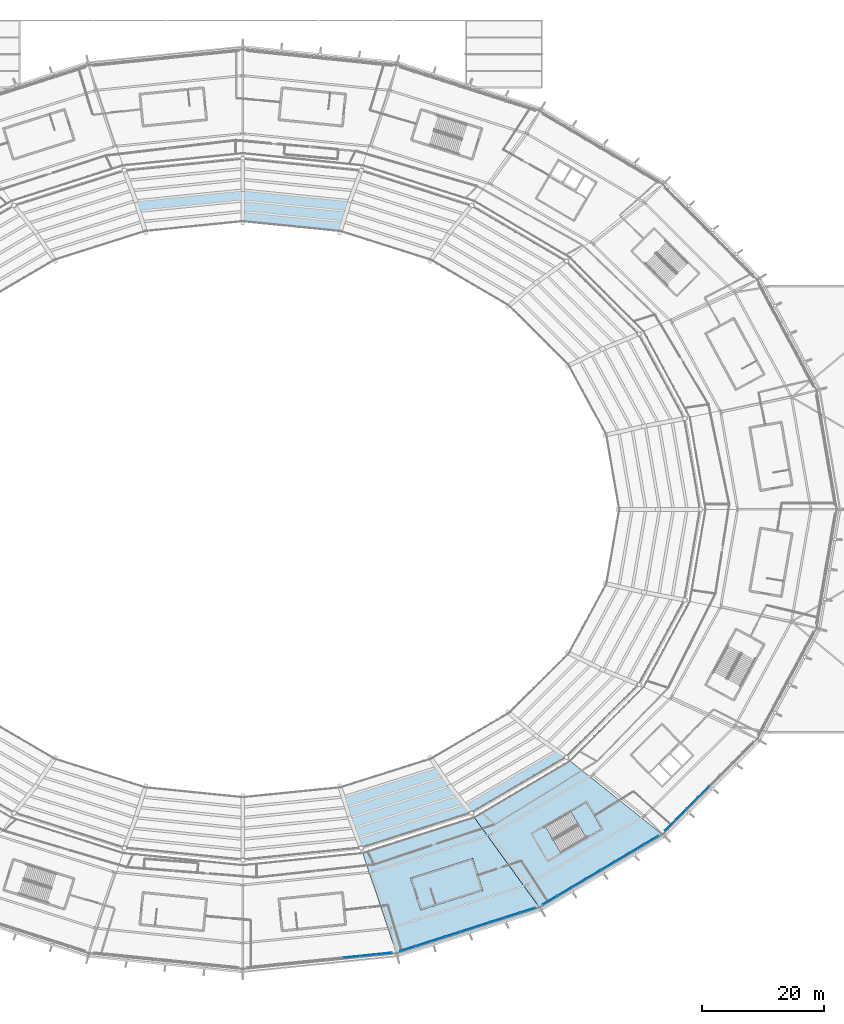
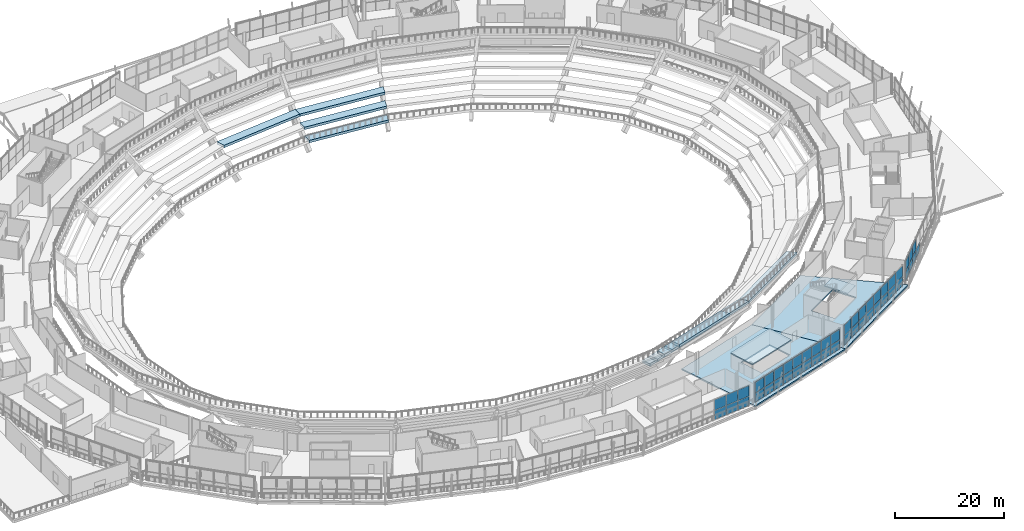
# One storey, part 66 of 126: 47 plates, 14 slabs, 5 elements without a shape of their own.
"""IFC4 building model written with IfcOpenShell, lengths in metres."""

from ifc_helpers import new_model, si_unit, direction, frame, origin, origin_2d, place, context, subcontext, project, spatial, polyline, rectangle, outline, extrude, material, layer, layer_set, type_object, element, aggregate, save


model = new_model("IFC4")

# Units and contexts
model_context = context("Model", 3, precision=1e-05, world=origin(), true_north=direction((0.0, 1.0)))
body_context = subcontext(model_context, "Body", "Model", "MODEL_VIEW")
ifc_project = project(units=[si_unit("LENGTHUNIT", "METRE"), si_unit("AREAUNIT", "SQUARE_METRE"), si_unit("VOLUMEUNIT", "CUBIC_METRE"), si_unit("PLANEANGLEUNIT", "RADIAN"), si_unit("MASSUNIT", "GRAM", prefix="KILO")], contexts=[model_context])

# Site, building, storey
site_placement = place(None, origin())
site = spatial("IfcSite", under=ifc_project, at=site_placement, CompositionType="ELEMENT")
building_placement = place(site_placement, origin())
building = spatial("IfcBuilding", under=site, at=building_placement, Name="Zlatoyarsky Gate Stadium", CompositionType="ELEMENT")
storey_placement = place(building_placement, frame((0.0, 0.0, 20.800048828125)))
storey = spatial("IfcBuildingStorey", under=building, at=storey_placement, Name="L04", CompositionType="ELEMENT", Elevation=20.800048828125)

# Curtain wall, plates
ifc_material_1 = material(Name="Thermally broken anodised aluminium curtain wall", Category="aluminium")
curtain_wall_type_1 = type_object("IfcCurtainWallType", Name="MONUMENTAL ARCHED GATE GLAZING LOWER", PredefinedType="USERDEFINED", material=ifc_material_1)
curtain_wall_1_placement = place(storey_placement, origin())
curtain_wall_1 = element("IfcCurtainWall", 1, at=curtain_wall_1_placement, inside=storey, type_object=curtain_wall_type_1, Name="Curtain wall CW-L04-18", ObjectType="ARCHED GATE GLAZING", PredefinedType="USERDEFINED")
ifc_material_2 = material(Name="Triple-glazed argon low-e architectural glass", Category="glass")
ifc_layer_1 = layer(ifc_material_2, 0.0458984375)
ifc_layer_set_1 = layer_set([ifc_layer_1], Name="Triple-glazed argon low-e architectural glass")
plate_type_1 = type_object("IfcPlateType", Name="ACOUSTIC LAMINATED GATE GLAZING PANEL 46", PredefinedType="CURTAIN_PANEL", material=ifc_layer_set_1)
plate_1_placement = place(storey_placement, frame((128.857421875, 6.74853515625, 0.074951171875), z_axis=(0.0, 0.0, 1.0), x_axis=(0.994856644007, 0.10129293102, 0.0)))
plate_1 = element("IfcPlate", 2, at=plate_1_placement, type_object=plate_type_1, Name="CW-AG1 panel 7.1", PredefinedType="CURTAIN_PANEL", context=body_context, shape_type="SweptSolid", body=[
    extrude(rectangle(XDim=2.58642578125, YDim=0.0458984375, at=origin_2d()), origin(), (0.0, 0.0, 1.0), 2.03759765625),
])
plate_2_placement = place(storey_placement, frame((128.857421875, 6.74853515625, 2.1875), z_axis=(0.0, 0.0, 1.0), x_axis=(0.994856644007, 0.10129293102, 0.0)))
plate_2 = element("IfcPlate", 3, at=plate_2_placement, type_object=plate_type_1, Name="CW-AG1 panel 7.2", PredefinedType="CURTAIN_PANEL", context=body_context, shape_type="SweptSolid", body=[
    extrude(rectangle(XDim=2.58642578125, YDim=0.0458984375, at=origin_2d()), origin(), (0.0, 0.0, 1.0), 2.357421875),
])
plate_3_placement = place(storey_placement, frame((131.505126953125, 7.01806640625, 0.074951171875), z_axis=(0.0, 0.0, 1.0), x_axis=(0.994856644007, 0.10129293102, 0.0)))
plate_3 = element("IfcPlate", 4, at=plate_3_placement, type_object=plate_type_1, Name="CW-AG1 panel 8.1", PredefinedType="CURTAIN_PANEL", context=body_context, shape_type="SweptSolid", body=[
    extrude(rectangle(XDim=2.58642578125, YDim=0.0458984375, at=origin_2d()), origin(), (0.0, 0.0, 1.0), 2.03759765625),
])
plate_4_placement = place(storey_placement, frame((131.505126953125, 7.01806640625, 2.1875), z_axis=(0.0, 0.0, 1.0), x_axis=(0.994856644007, 0.10129293102, 0.0)))
plate_4 = element("IfcPlate", 5, at=plate_4_placement, type_object=plate_type_1, Name="CW-AG1 panel 8.2", PredefinedType="CURTAIN_PANEL", context=body_context, shape_type="SweptSolid", body=[
    extrude(rectangle(XDim=2.58642578125, YDim=0.0458984375, at=origin_2d()), origin(), (0.0, 0.0, 1.0), 2.357421875),
])
plate_5_placement = place(storey_placement, frame((134.13427734375, 7.285888671875, 0.074951171875), z_axis=(0.0, 0.0, 1.0), x_axis=(0.994856644007, 0.10129293102, 0.0)))
plate_5 = element("IfcPlate", 6, at=plate_5_placement, type_object=plate_type_1, Name="CW-AG1 panel 9.1", PredefinedType="CURTAIN_PANEL", context=body_context, shape_type="SweptSolid", body=[
    extrude(rectangle(XDim=2.549072265625, YDim=0.0458984375, at=origin_2d()), origin(), (0.0, 0.0, 1.0), 2.03759765625),
])
plate_6_placement = place(storey_placement, frame((134.13427734375, 7.285888671875, 2.1875), z_axis=(0.0, 0.0, 1.0), x_axis=(0.994856644007, 0.10129293102, 0.0)))
plate_6 = element("IfcPlate", 7, at=plate_6_placement, type_object=plate_type_1, Name="CW-AG1 panel 9.2", PredefinedType="CURTAIN_PANEL", context=body_context, shape_type="SweptSolid", body=[
    extrude(rectangle(XDim=2.549072265625, YDim=0.0458984375, at=origin_2d()), origin(), (0.0, 0.0, 1.0), 2.357421875),
])
aggregate(curtain_wall_1, [plate_1, plate_2, plate_3, plate_4, plate_5, plate_6])

# Slabs
ifc_material_3 = material(Name="Concrete C40/50", Category="concrete")
ifc_layer_2 = layer(ifc_material_3, 0.300048828125)
ifc_layer_set_2 = layer_set([ifc_layer_2], Name="Concrete C40/50")
slab_type_1 = type_object("IfcSlabType", Name="CONCRETE CONCOURSE SLAB 300", PredefinedType="FLOOR", material=ifc_layer_set_2)
slab_1_placement = place(storey_placement, frame((0.0, 0.0, -0.300048828125)))
element("IfcSlab", 8, at=slab_1_placement, inside=storey, type_object=slab_type_1, Name="L04 bowl sector 19 slab", PredefinedType="FLOOR", context=body_context, shape_type="SweptSolid", body=[
    extrude(outline(polyline([(148.800048828125, 29.683837890625), (159.884765625, 14.381591796875), (136.3046875, 6.812255859375), (130.566650390625, 23.879638671875), (148.800048828125, 29.683837890625)]), holes=[polyline([(142.60009765625, 15.437744140625), (149.9892578125, 17.7744140625), (148.481689453125, 22.541748046875), (141.09228515625, 20.205078125), (142.60009765625, 15.437744140625)])]), origin(), (0.0, 0.0, 1.0), 0.300048828125),
])
slab_2_placement = place(storey_placement, frame((0.0, 0.0, -0.300048828125)))
element("IfcSlab", 9, at=slab_2_placement, inside=storey, type_object=slab_type_1, Name="L04 bowl sector 20 slab", PredefinedType="FLOOR", context=body_context, shape_type="SweptSolid", body=[
    extrude(outline(polyline([(164.457275390625, 38.9169921875), (180.133544921875, 26.4228515625), (159.884765625, 14.381591796875), (148.800048828125, 29.683837890625), (164.457275390625, 38.9169921875)]), holes=[polyline([(163.065673828125, 23.795654296875), (169.752685546875, 27.712890625), (167.225341796875, 32.027099609375), (160.538330078125, 28.10986328125), (163.065673828125, 23.795654296875)])]), origin(), (0.0, 0.0, 1.0), 0.300048828125),
])
ifc_layer_3 = layer(ifc_material_3, 0.239990234375)
ifc_layer_set_3 = layer_set([ifc_layer_3], Name="Concrete C40/50")
slab_type_2 = type_object("IfcSlabType", Name="CONCRETE CORE TOP CAP SLAB 240", PredefinedType="ROOF", material=ifc_layer_set_3)
slab_3_placement = place(storey_placement, frame((0.0, 0.0, 3.199951171875)))
element("IfcSlab", 10, at=slab_3_placement, inside=storey, type_object=slab_type_2, Name="ST-16 stair headhouse roof cap", PredefinedType="ROOF", context=body_context, shape_type="SweptSolid", body=[
    extrude(outline(polyline([(140.10107421875, 14.38525390625), (150.302978515625, 17.611572265625), (148.644775390625, 22.85546875), (138.442626953125, 19.62939453125), (140.10107421875, 14.38525390625)])), origin(), (0.0, 0.0, 1.0), 0.239990234375),
])

# Stair, slab
stair_type = type_object("IfcStairType", Name="CONCRETE DOGLEG EXIT STAIR H5400", PredefinedType="TWO_STRAIGHT_RUN_STAIR", material=ifc_material_3)
stair_placement = place(storey_placement, origin())
stair = element("IfcStair", 11, at=stair_placement, inside=storey, type_object=stair_type, Name="L04 Exit Stair ST-11", PredefinedType="TWO_STRAIGHT_RUN_STAIR")
ifc_layer_4 = layer(ifc_material_3, 0.199951171875)
ifc_layer_set_4 = layer_set([ifc_layer_4], Name="Concrete C40/50")
slab_type_3 = type_object("IfcSlabType", Name="CONCRETE STAIR LANDING SLAB 200", PredefinedType="LANDING", material=ifc_layer_set_4)
slab_4_placement = place(storey_placement, frame((0.0, 0.0, 2.5)))
slab_4 = element("IfcSlab", 12, at=slab_4_placement, type_object=slab_type_3, Name="ST-DG54 landing 1", PredefinedType="LANDING", context=body_context, shape_type="SweptSolid", body=[
    extrude(outline(polyline([(167.207275390625, 26.221923828125), (169.752685546875, 27.712890625), (167.225341796875, 32.027099609375), (164.679931640625, 30.5361328125), (167.207275390625, 26.221923828125)])), origin(), (0.0, 0.0, 1.0), 0.199951171875),
])
aggregate(stair, [slab_4])

# Slabs
ifc_material_4 = material(Name="Precast concrete C40/50", Category="concrete")
ifc_layer_5 = layer(ifc_material_4, 0.56005859375)
ifc_layer_set_5 = layer_set([ifc_layer_5], Name="Precast concrete C40/50")
slab_type_4 = type_object("IfcSlabType", Name="PRECAST UPPER SEATING TIER UNIT 560", PredefinedType="USERDEFINED", material=ifc_layer_set_5)
slab_5_placement = place(storey_placement, frame((0.0, 0.0, -4.9599609375)))
element("IfcSlab", 13, at=slab_5_placement, inside=storey, type_object=slab_type_4, Name="Upper seating tier sector 05 row 1", ObjectType="SEATING TIER", PredefinedType="USERDEFINED", context=body_context, shape_type="SweptSolid", body=[
    extrude(outline(polyline([(126.91748046875, 125.3984375), (127.499755859375, 127.0888671875), (111.0, 128.75), (111.0, 127.0), (126.91748046875, 125.3984375)])), origin(), (0.0, 0.0, 1.0), 0.559814453125),
])
slab_6_placement = place(storey_placement, frame((0.0, 0.0, -3.06005859375)))
element("IfcSlab", 14, at=slab_6_placement, inside=storey, type_object=slab_type_4, Name="Upper seating tier sector 05 row 2", ObjectType="SEATING TIER", PredefinedType="USERDEFINED", context=body_context, shape_type="SweptSolid", body=[
    extrude(outline(polyline([(127.499755859375, 127.0888671875), (128.08203125, 128.779296875), (111.0, 130.5), (111.0, 128.75), (127.499755859375, 127.0888671875)])), origin(), (0.0, 0.0, 1.0), 0.56005859375),
])
slab_7_placement = place(storey_placement, frame((0.0, 0.0, -1.16015625)))
element("IfcSlab", 15, at=slab_7_placement, inside=storey, type_object=slab_type_4, Name="Upper seating tier sector 05 row 3", ObjectType="SEATING TIER", PredefinedType="USERDEFINED", context=body_context, shape_type="SweptSolid", body=[
    extrude(outline(polyline([(128.08203125, 128.779296875), (128.664306640625, 130.469482421875), (111.0, 132.25), (111.0, 130.5), (128.08203125, 128.779296875)])), origin(), (0.0, 0.0, 1.0), 0.56005859375),
])
slab_8_placement = place(storey_placement, frame((0.0, 0.0, -1.16015625)))
element("IfcSlab", 16, at=slab_8_placement, inside=storey, type_object=slab_type_4, Name="Upper seating tier sector 06 row 3", ObjectType="SEATING TIER", PredefinedType="USERDEFINED", context=body_context, shape_type="SweptSolid", body=[
    extrude(outline(polyline([(111.0, 130.5), (111.0, 132.25), (93.335693359375, 130.469482421875), (93.91796875, 128.779296875), (111.0, 130.5)])), origin(), (0.0, 0.0, 1.0), 0.56005859375),
])
slab_9_placement = place(storey_placement, frame((0.0, 0.0, -3.06005859375)))
element("IfcSlab", 17, at=slab_9_placement, inside=storey, type_object=slab_type_4, Name="Upper seating tier sector 19 row 2", ObjectType="SEATING TIER", PredefinedType="USERDEFINED", context=body_context, shape_type="SweptSolid", body=[
    extrude(outline(polyline([(127.499755859375, 32.9111328125), (128.08203125, 31.220703125), (144.0, 36.265625), (142.875, 37.78125), (127.499755859375, 32.9111328125)])), origin(), (0.0, 0.0, 1.0), 0.56005859375),
])
slab_10_placement = place(storey_placement, frame((0.0, 0.0, -1.16015625)))
element("IfcSlab", 18, at=slab_10_placement, inside=storey, type_object=slab_type_4, Name="Upper seating tier sector 19 row 3", ObjectType="SEATING TIER", PredefinedType="USERDEFINED", context=body_context, shape_type="SweptSolid", body=[
    extrude(outline(polyline([(128.08203125, 31.220703125), (128.664306640625, 29.530517578125), (145.125, 34.750244140625), (144.0, 36.265625), (128.08203125, 31.220703125)])), origin(), (0.0, 0.0, 1.0), 0.56005859375),
])
slab_11_placement = place(storey_placement, frame((0.0, 0.0, 0.739990234375)))
element("IfcSlab", 19, at=slab_11_placement, inside=storey, type_object=slab_type_4, Name="Upper seating tier sector 19 row 4", ObjectType="SEATING TIER", PredefinedType="USERDEFINED", context=body_context, shape_type="SweptSolid", body=[
    extrude(outline(polyline([(128.664306640625, 29.530517578125), (129.24658203125, 27.840087890625), (146.25, 33.234619140625), (145.125, 34.750244140625), (128.664306640625, 29.530517578125)])), origin(), (0.0, 0.0, 1.0), 0.56005859375),
])
slab_12_placement = place(storey_placement, frame((0.0, 0.0, 2.639892578125)))
element("IfcSlab", 20, at=slab_12_placement, inside=storey, type_object=slab_type_4, Name="Upper seating tier sector 19 row 5", ObjectType="SEATING TIER", PredefinedType="USERDEFINED", context=body_context, shape_type="SweptSolid", body=[
    extrude(outline(polyline([(129.24658203125, 27.840087890625), (129.8291015625, 26.149658203125), (147.375, 31.718994140625), (146.25, 33.234619140625), (129.24658203125, 27.840087890625)])), origin(), (0.0, 0.0, 1.0), 0.56005859375),
])
slab_13_placement = place(storey_placement, frame((0.0, 0.0, 4.5400390625)))
element("IfcSlab", 21, at=slab_13_placement, inside=storey, type_object=slab_type_4, Name="Upper seating tier sector 19 row 6", ObjectType="SEATING TIER", PredefinedType="USERDEFINED", context=body_context, shape_type="SweptSolid", body=[
    extrude(outline(polyline([(129.8291015625, 26.149658203125), (130.411376953125, 24.459228515625), (148.5, 30.20361328125), (147.375, 31.718994140625), (129.8291015625, 26.149658203125)])), origin(), (0.0, 0.0, 1.0), 0.559814453125),
])
slab_14_placement = place(storey_placement, frame((0.0, 0.0, 4.5400390625)))
element("IfcSlab", 22, at=slab_14_placement, inside=storey, type_object=slab_type_4, Name="Upper seating tier sector 20 row 6", ObjectType="SEATING TIER", PredefinedType="USERDEFINED", context=body_context, shape_type="SweptSolid", body=[
    extrude(outline(polyline([(147.375, 31.718994140625), (148.5, 30.20361328125), (164.032958984375, 39.34130859375), (162.44189453125, 40.578857421875), (147.375, 31.718994140625)])), origin(), (0.0, 0.0, 1.0), 0.559814453125),
])

# Curtain wall, plates
curtain_wall_type_2 = type_object("IfcCurtainWallType", Name="UNITISED MEDIA RING GLAZING L04", PredefinedType="USERDEFINED", material=ifc_material_1)
curtain_wall_2_placement = place(storey_placement, origin())
curtain_wall_2 = element("IfcCurtainWall", 23, at=curtain_wall_2_placement, inside=storey, type_object=curtain_wall_type_2, Name="Curtain wall CW-L04-19", ObjectType="UNITISED GLAZING", PredefinedType="USERDEFINED")
ifc_layer_6 = layer(ifc_material_2, 0.0380859375)
ifc_layer_set_6 = layer_set([ifc_layer_6], Name="Triple-glazed argon low-e architectural glass")
plate_type_2 = type_object("IfcPlateType", Name="TRIPLE GLAZED LOW E CURTAIN PANEL 38", PredefinedType="CURTAIN_PANEL", material=ifc_layer_set_6)
plate_7_placement = place(storey_placement, frame((137.98974609375, 8.086181640625, 0.06494140625), z_axis=(0.0, 0.0, 1.0), x_axis=(0.952331297298, 0.305065730928, 0.0)))
plate_7 = element("IfcPlate", 24, at=plate_7_placement, type_object=plate_type_2, Name="CW-UG4 panel 1.1", PredefinedType="CURTAIN_PANEL", context=body_context, shape_type="SweptSolid", body=[
    extrude(rectangle(XDim=2.489501953125, YDim=0.0380859375, at=origin_2d()), origin(), (0.0, 0.0, 1.0), 2.052490234375),
])
plate_8_placement = place(storey_placement, frame((137.98974609375, 8.086181640625, 2.182373046875), z_axis=(0.0, 0.0, 1.0), x_axis=(0.952331297298, 0.305065730928, 0.0)))
plate_8 = element("IfcPlate", 25, at=plate_8_placement, type_object=plate_type_2, Name="CW-UG4 panel 1.2", PredefinedType="CURTAIN_PANEL", context=body_context, shape_type="SweptSolid", body=[
    extrude(rectangle(XDim=2.489501953125, YDim=0.0380859375, at=origin_2d()), origin(), (0.0, 0.0, 1.0), 2.37255859375),
])
plate_9_placement = place(storey_placement, frame((140.43798828125, 8.870361328125, 0.06494140625), z_axis=(0.0, 0.0, 1.0), x_axis=(0.952331297298, 0.305065730928, 0.0)))
plate_9 = element("IfcPlate", 26, at=plate_9_placement, type_object=plate_type_2, Name="CW-UG4 panel 2.1", PredefinedType="CURTAIN_PANEL", context=body_context, shape_type="SweptSolid", body=[
    extrude(rectangle(XDim=2.52197265625, YDim=0.0380859375, at=origin_2d()), origin(), (0.0, 0.0, 1.0), 2.052490234375),
])
plate_10_placement = place(storey_placement, frame((140.43798828125, 8.870361328125, 2.182373046875), z_axis=(0.0, 0.0, 1.0), x_axis=(0.952331297298, 0.305065730928, 0.0)))
plate_10 = element("IfcPlate", 27, at=plate_10_placement, type_object=plate_type_2, Name="CW-UG4 panel 2.2", PredefinedType="CURTAIN_PANEL", context=body_context, shape_type="SweptSolid", body=[
    extrude(rectangle(XDim=2.52197265625, YDim=0.0380859375, at=origin_2d()), origin(), (0.0, 0.0, 1.0), 2.37255859375),
])
plate_11_placement = place(storey_placement, frame((142.90185546875, 9.65966796875, 0.06494140625), z_axis=(0.0, 0.0, 1.0), x_axis=(0.952331297298, 0.305065730928, 0.0)))
plate_11 = element("IfcPlate", 28, at=plate_11_placement, type_object=plate_type_2, Name="CW-UG4 panel 3.1", PredefinedType="CURTAIN_PANEL", context=body_context, shape_type="SweptSolid", body=[
    extrude(rectangle(XDim=2.52197265625, YDim=0.0380859375, at=origin_2d()), origin(), (0.0, 0.0, 1.0), 2.052490234375),
])
plate_12_placement = place(storey_placement, frame((142.90185546875, 9.65966796875, 2.182373046875), z_axis=(0.0, 0.0, 1.0), x_axis=(0.952331297298, 0.305065730928, 0.0)))
plate_12 = element("IfcPlate", 29, at=plate_12_placement, type_object=plate_type_2, Name="CW-UG4 panel 3.2", PredefinedType="CURTAIN_PANEL", context=body_context, shape_type="SweptSolid", body=[
    extrude(rectangle(XDim=2.52197265625, YDim=0.0380859375, at=origin_2d()), origin(), (0.0, 0.0, 1.0), 2.37255859375),
])
plate_13_placement = place(storey_placement, frame((145.365478515625, 10.44873046875, 0.06494140625), z_axis=(0.0, 0.0, 1.0), x_axis=(0.952331297298, 0.305065730928, 0.0)))
plate_13 = element("IfcPlate", 30, at=plate_13_placement, type_object=plate_type_2, Name="CW-UG4 panel 4.1", PredefinedType="CURTAIN_PANEL", context=body_context, shape_type="SweptSolid", body=[
    extrude(rectangle(XDim=2.52197265625, YDim=0.0380859375, at=origin_2d()), origin(), (0.0, 0.0, 1.0), 2.052490234375),
])
plate_14_placement = place(storey_placement, frame((145.365478515625, 10.44873046875, 2.182373046875), z_axis=(0.0, 0.0, 1.0), x_axis=(0.952331297298, 0.305065730928, 0.0)))
plate_14 = element("IfcPlate", 31, at=plate_14_placement, type_object=plate_type_2, Name="CW-UG4 panel 4.2", PredefinedType="CURTAIN_PANEL", context=body_context, shape_type="SweptSolid", body=[
    extrude(rectangle(XDim=2.52197265625, YDim=0.0380859375, at=origin_2d()), origin(), (0.0, 0.0, 1.0), 2.37255859375),
])
plate_15_placement = place(storey_placement, frame((147.8291015625, 11.238037109375, 0.06494140625), z_axis=(0.0, 0.0, 1.0), x_axis=(0.952331297298, 0.305065730928, 0.0)))
plate_15 = element("IfcPlate", 32, at=plate_15_placement, type_object=plate_type_2, Name="CW-UG4 panel 5.1", PredefinedType="CURTAIN_PANEL", context=body_context, shape_type="SweptSolid", body=[
    extrude(rectangle(XDim=2.52197265625, YDim=0.0380859375, at=origin_2d()), origin(), (0.0, 0.0, 1.0), 2.052490234375),
])
plate_16_placement = place(storey_placement, frame((147.8291015625, 11.238037109375, 2.182373046875), z_axis=(0.0, 0.0, 1.0), x_axis=(0.952331297298, 0.305065730928, 0.0)))
plate_16 = element("IfcPlate", 33, at=plate_16_placement, type_object=plate_type_2, Name="CW-UG4 panel 5.2", PredefinedType="CURTAIN_PANEL", context=body_context, shape_type="SweptSolid", body=[
    extrude(rectangle(XDim=2.52197265625, YDim=0.0380859375, at=origin_2d()), origin(), (0.0, 0.0, 1.0), 2.37255859375),
])
plate_17_placement = place(storey_placement, frame((150.29296875, 12.02734375, 0.06494140625), z_axis=(0.0, 0.0, 1.0), x_axis=(0.952331297298, 0.305065730928, 0.0)))
plate_17 = element("IfcPlate", 34, at=plate_17_placement, type_object=plate_type_2, Name="CW-UG4 panel 6.1", PredefinedType="CURTAIN_PANEL", context=body_context, shape_type="SweptSolid", body=[
    extrude(rectangle(XDim=2.52197265625, YDim=0.0380859375, at=origin_2d()), origin(), (0.0, 0.0, 1.0), 2.052490234375),
])
plate_18_placement = place(storey_placement, frame((150.29296875, 12.02734375, 2.182373046875), z_axis=(0.0, 0.0, 1.0), x_axis=(0.952331297298, 0.305065730928, 0.0)))
plate_18 = element("IfcPlate", 35, at=plate_18_placement, type_object=plate_type_2, Name="CW-UG4 panel 6.2", PredefinedType="CURTAIN_PANEL", context=body_context, shape_type="SweptSolid", body=[
    extrude(rectangle(XDim=2.52197265625, YDim=0.0380859375, at=origin_2d()), origin(), (0.0, 0.0, 1.0), 2.37255859375),
])
plate_19_placement = place(storey_placement, frame((152.756591796875, 12.81640625, 0.06494140625), z_axis=(0.0, 0.0, 1.0), x_axis=(0.952331297298, 0.305065730928, 0.0)))
plate_19 = element("IfcPlate", 36, at=plate_19_placement, type_object=plate_type_2, Name="CW-UG4 panel 7.1", PredefinedType="CURTAIN_PANEL", context=body_context, shape_type="SweptSolid", body=[
    extrude(rectangle(XDim=2.52197265625, YDim=0.0380859375, at=origin_2d()), origin(), (0.0, 0.0, 1.0), 2.052490234375),
])
plate_20_placement = place(storey_placement, frame((152.756591796875, 12.81640625, 2.182373046875), z_axis=(0.0, 0.0, 1.0), x_axis=(0.952331297298, 0.305065730928, 0.0)))
plate_20 = element("IfcPlate", 37, at=plate_20_placement, type_object=plate_type_2, Name="CW-UG4 panel 7.2", PredefinedType="CURTAIN_PANEL", context=body_context, shape_type="SweptSolid", body=[
    extrude(rectangle(XDim=2.52197265625, YDim=0.0380859375, at=origin_2d()), origin(), (0.0, 0.0, 1.0), 2.37255859375),
])
plate_21_placement = place(storey_placement, frame((155.22021484375, 13.605712890625, 0.06494140625), z_axis=(0.0, 0.0, 1.0), x_axis=(0.952331297298, 0.305065730928, 0.0)))
plate_21 = element("IfcPlate", 38, at=plate_21_placement, type_object=plate_type_2, Name="CW-UG4 panel 8.1", PredefinedType="CURTAIN_PANEL", context=body_context, shape_type="SweptSolid", body=[
    extrude(rectangle(XDim=2.52197265625, YDim=0.0380859375, at=origin_2d()), origin(), (0.0, 0.0, 1.0), 2.052490234375),
])
plate_22_placement = place(storey_placement, frame((155.22021484375, 13.605712890625, 2.182373046875), z_axis=(0.0, 0.0, 1.0), x_axis=(0.952331297298, 0.305065730928, 0.0)))
plate_22 = element("IfcPlate", 39, at=plate_22_placement, type_object=plate_type_2, Name="CW-UG4 panel 8.2", PredefinedType="CURTAIN_PANEL", context=body_context, shape_type="SweptSolid", body=[
    extrude(rectangle(XDim=2.52197265625, YDim=0.0380859375, at=origin_2d()), origin(), (0.0, 0.0, 1.0), 2.37255859375),
])
plate_23_placement = place(storey_placement, frame((157.66845703125, 14.389892578125, 0.06494140625), z_axis=(0.0, 0.0, 1.0), x_axis=(0.952331297298, 0.305065730928, 0.0)))
plate_23 = element("IfcPlate", 40, at=plate_23_placement, type_object=plate_type_2, Name="CW-UG4 panel 9.1", PredefinedType="CURTAIN_PANEL", context=body_context, shape_type="SweptSolid", body=[
    extrude(rectangle(XDim=2.489501953125, YDim=0.0380859375, at=origin_2d()), origin(), (0.0, 0.0, 1.0), 2.052490234375),
])
plate_24_placement = place(storey_placement, frame((157.66845703125, 14.389892578125, 2.182373046875), z_axis=(0.0, 0.0, 1.0), x_axis=(0.952331297298, 0.305065730928, 0.0)))
plate_24 = element("IfcPlate", 41, at=plate_24_placement, type_object=plate_type_2, Name="CW-UG4 panel 9.2", PredefinedType="CURTAIN_PANEL", context=body_context, shape_type="SweptSolid", body=[
    extrude(rectangle(XDim=2.489501953125, YDim=0.0380859375, at=origin_2d()), origin(), (0.0, 0.0, 1.0), 2.37255859375),
])
aggregate(curtain_wall_2, [plate_7, plate_8, plate_9, plate_10, plate_11, plate_12, plate_13, plate_14, plate_15, plate_16, plate_17, plate_18, plate_19, plate_20, plate_21, plate_22, plate_23, plate_24])

curtain_wall_3_placement = place(storey_placement, origin())
curtain_wall_3 = element("IfcCurtainWall", 42, at=curtain_wall_3_placement, inside=storey, type_object=curtain_wall_type_2, Name="Curtain wall CW-L04-20", ObjectType="UNITISED GLAZING", PredefinedType="USERDEFINED")
plate_25_placement = place(storey_placement, frame((161.29443359375, 16.031982421875, 0.06494140625), z_axis=(0.0, 0.0, 1.0), x_axis=(0.859978374713, 0.510330476285, 0.0)))
plate_25 = element("IfcPlate", 43, at=plate_25_placement, type_object=plate_type_2, Name="CW-UG4 panel 1.1", PredefinedType="CURTAIN_PANEL", context=body_context, shape_type="SweptSolid", body=[
    extrude(rectangle(XDim=2.662109375, YDim=0.0380859375, at=origin_2d()), origin(), (0.0, 0.0, 1.0), 2.052490234375),
])
plate_26_placement = place(storey_placement, frame((161.29443359375, 16.031982421875, 2.182373046875), z_axis=(0.0, 0.0, 1.0), x_axis=(0.859978374713, 0.510330476285, 0.0)))
plate_26 = element("IfcPlate", 44, at=plate_26_placement, type_object=plate_type_2, Name="CW-UG4 panel 1.2", PredefinedType="CURTAIN_PANEL", context=body_context, shape_type="SweptSolid", body=[
    extrude(rectangle(XDim=2.662109375, YDim=0.0380859375, at=origin_2d()), origin(), (0.0, 0.0, 1.0), 2.37255859375),
])
plate_27_placement = place(storey_placement, frame((163.653564453125, 17.431884765625, 0.06494140625), z_axis=(0.0, 0.0, 1.0), x_axis=(0.859978374713, 0.510330476285, 0.0)))
plate_27 = element("IfcPlate", 45, at=plate_27_placement, type_object=plate_type_2, Name="CW-UG4 panel 2.1", PredefinedType="CURTAIN_PANEL", context=body_context, shape_type="SweptSolid", body=[
    extrude(rectangle(XDim=2.694580078125, YDim=0.0380859375, at=origin_2d()), origin(), (0.0, 0.0, 1.0), 2.052490234375),
])
plate_28_placement = place(storey_placement, frame((163.653564453125, 17.431884765625, 2.182373046875), z_axis=(0.0, 0.0, 1.0), x_axis=(0.859978374713, 0.510330476285, 0.0)))
plate_28 = element("IfcPlate", 46, at=plate_28_placement, type_object=plate_type_2, Name="CW-UG4 panel 2.2", PredefinedType="CURTAIN_PANEL", context=body_context, shape_type="SweptSolid", body=[
    extrude(rectangle(XDim=2.694580078125, YDim=0.0380859375, at=origin_2d()), origin(), (0.0, 0.0, 1.0), 2.37255859375),
])
plate_29_placement = place(storey_placement, frame((166.02685546875, 18.84033203125, 0.06494140625), z_axis=(0.0, 0.0, 1.0), x_axis=(0.859978374713, 0.510330476285, 0.0)))
plate_29 = element("IfcPlate", 47, at=plate_29_placement, type_object=plate_type_2, Name="CW-UG4 panel 3.1", PredefinedType="CURTAIN_PANEL", context=body_context, shape_type="SweptSolid", body=[
    extrude(rectangle(XDim=2.694580078125, YDim=0.0380859375, at=origin_2d()), origin(), (0.0, 0.0, 1.0), 2.052490234375),
])
plate_30_placement = place(storey_placement, frame((166.02685546875, 18.84033203125, 2.182373046875), z_axis=(0.0, 0.0, 1.0), x_axis=(0.859978374713, 0.510330476285, 0.0)))
plate_30 = element("IfcPlate", 48, at=plate_30_placement, type_object=plate_type_2, Name="CW-UG4 panel 3.2", PredefinedType="CURTAIN_PANEL", context=body_context, shape_type="SweptSolid", body=[
    extrude(rectangle(XDim=2.694580078125, YDim=0.0380859375, at=origin_2d()), origin(), (0.0, 0.0, 1.0), 2.37255859375),
])
plate_31_placement = place(storey_placement, frame((168.400146484375, 20.24853515625, 0.06494140625), z_axis=(0.0, 0.0, 1.0), x_axis=(0.859978374713, 0.510330476285, 0.0)))
plate_31 = element("IfcPlate", 49, at=plate_31_placement, type_object=plate_type_2, Name="CW-UG4 panel 4.1", PredefinedType="CURTAIN_PANEL", context=body_context, shape_type="SweptSolid", body=[
    extrude(rectangle(XDim=2.694580078125, YDim=0.0380859375, at=origin_2d()), origin(), (0.0, 0.0, 1.0), 2.052490234375),
])
plate_32_placement = place(storey_placement, frame((168.400146484375, 20.24853515625, 2.182373046875), z_axis=(0.0, 0.0, 1.0), x_axis=(0.859978374713, 0.510330476285, 0.0)))
plate_32 = element("IfcPlate", 50, at=plate_32_placement, type_object=plate_type_2, Name="CW-UG4 panel 4.2", PredefinedType="CURTAIN_PANEL", context=body_context, shape_type="SweptSolid", body=[
    extrude(rectangle(XDim=2.694580078125, YDim=0.0380859375, at=origin_2d()), origin(), (0.0, 0.0, 1.0), 2.37255859375),
])
plate_33_placement = place(storey_placement, frame((170.773193359375, 21.656982421875, 0.06494140625), z_axis=(0.0, 0.0, 1.0), x_axis=(0.859978374713, 0.510330476285, 0.0)))
plate_33 = element("IfcPlate", 51, at=plate_33_placement, type_object=plate_type_2, Name="CW-UG4 panel 5.1", PredefinedType="CURTAIN_PANEL", context=body_context, shape_type="SweptSolid", body=[
    extrude(rectangle(XDim=2.694580078125, YDim=0.0380859375, at=origin_2d()), origin(), (0.0, 0.0, 1.0), 2.052490234375),
])
plate_34_placement = place(storey_placement, frame((170.773193359375, 21.656982421875, 2.182373046875), z_axis=(0.0, 0.0, 1.0), x_axis=(0.859978374713, 0.510330476285, 0.0)))
plate_34 = element("IfcPlate", 52, at=plate_34_placement, type_object=plate_type_2, Name="CW-UG4 panel 5.2", PredefinedType="CURTAIN_PANEL", context=body_context, shape_type="SweptSolid", body=[
    extrude(rectangle(XDim=2.694580078125, YDim=0.0380859375, at=origin_2d()), origin(), (0.0, 0.0, 1.0), 2.37255859375),
])
plate_35_placement = place(storey_placement, frame((173.146484375, 23.065185546875, 0.06494140625), z_axis=(0.0, 0.0, 1.0), x_axis=(0.859978374713, 0.510330476285, 0.0)))
plate_35 = element("IfcPlate", 53, at=plate_35_placement, type_object=plate_type_2, Name="CW-UG4 panel 6.1", PredefinedType="CURTAIN_PANEL", context=body_context, shape_type="SweptSolid", body=[
    extrude(rectangle(XDim=2.694580078125, YDim=0.0380859375, at=origin_2d()), origin(), (0.0, 0.0, 1.0), 2.052490234375),
])
plate_36_placement = place(storey_placement, frame((173.146484375, 23.065185546875, 2.182373046875), z_axis=(0.0, 0.0, 1.0), x_axis=(0.859978374713, 0.510330476285, 0.0)))
plate_36 = element("IfcPlate", 54, at=plate_36_placement, type_object=plate_type_2, Name="CW-UG4 panel 6.2", PredefinedType="CURTAIN_PANEL", context=body_context, shape_type="SweptSolid", body=[
    extrude(rectangle(XDim=2.694580078125, YDim=0.0380859375, at=origin_2d()), origin(), (0.0, 0.0, 1.0), 2.37255859375),
])
plate_37_placement = place(storey_placement, frame((175.519775390625, 24.4736328125, 0.06494140625), z_axis=(0.0, 0.0, 1.0), x_axis=(0.859978374713, 0.510330476285, 0.0)))
plate_37 = element("IfcPlate", 55, at=plate_37_placement, type_object=plate_type_2, Name="CW-UG4 panel 7.1", PredefinedType="CURTAIN_PANEL", context=body_context, shape_type="SweptSolid", body=[
    extrude(rectangle(XDim=2.694580078125, YDim=0.0380859375, at=origin_2d()), origin(), (0.0, 0.0, 1.0), 2.052490234375),
])
plate_38_placement = place(storey_placement, frame((175.519775390625, 24.4736328125, 2.182373046875), z_axis=(0.0, 0.0, 1.0), x_axis=(0.859978374713, 0.510330476285, 0.0)))
plate_38 = element("IfcPlate", 56, at=plate_38_placement, type_object=plate_type_2, Name="CW-UG4 panel 7.2", PredefinedType="CURTAIN_PANEL", context=body_context, shape_type="SweptSolid", body=[
    extrude(rectangle(XDim=2.694580078125, YDim=0.0380859375, at=origin_2d()), origin(), (0.0, 0.0, 1.0), 2.37255859375),
])
plate_39_placement = place(storey_placement, frame((177.87890625, 25.87353515625, 0.06494140625), z_axis=(0.0, 0.0, 1.0), x_axis=(0.859978374713, 0.510330476285, 0.0)))
plate_39 = element("IfcPlate", 57, at=plate_39_placement, type_object=plate_type_2, Name="CW-UG4 panel 8.1", PredefinedType="CURTAIN_PANEL", context=body_context, shape_type="SweptSolid", body=[
    extrude(rectangle(XDim=2.662109375, YDim=0.0380859375, at=origin_2d()), origin(), (0.0, 0.0, 1.0), 2.052490234375),
])
plate_40_placement = place(storey_placement, frame((177.87890625, 25.87353515625, 2.182373046875), z_axis=(0.0, 0.0, 1.0), x_axis=(0.859978374713, 0.510330476285, 0.0)))
plate_40 = element("IfcPlate", 58, at=plate_40_placement, type_object=plate_type_2, Name="CW-UG4 panel 8.2", PredefinedType="CURTAIN_PANEL", context=body_context, shape_type="SweptSolid", body=[
    extrude(rectangle(XDim=2.662109375, YDim=0.0380859375, at=origin_2d()), origin(), (0.0, 0.0, 1.0), 2.37255859375),
])
aggregate(curtain_wall_3, [plate_25, plate_26, plate_27, plate_28, plate_29, plate_30, plate_31, plate_32, plate_33, plate_34, plate_35, plate_36, plate_37, plate_38, plate_39, plate_40])

curtain_wall_4_placement = place(storey_placement, origin())
curtain_wall_4 = element("IfcCurtainWall", 59, at=curtain_wall_4_placement, inside=storey, type_object=curtain_wall_type_2, Name="Curtain wall CW-L04-21", ObjectType="UNITISED GLAZING", PredefinedType="USERDEFINED")
plate_41_placement = place(storey_placement, frame((181.0146484375, 28.3046875, 0.06494140625), z_axis=(0.0, 0.0, 1.0), x_axis=(0.704332181269, 0.709870536386, 0.0)))
plate_41 = element("IfcPlate", 60, at=plate_41_placement, type_object=plate_type_2, Name="CW-UG4 panel 1.1", PredefinedType="CURTAIN_PANEL", context=body_context, shape_type="SweptSolid", body=[
    extrude(rectangle(XDim=2.477783203125, YDim=0.0380859375, at=origin_2d()), origin(), (0.0, 0.0, 1.0), 2.052490234375),
])
plate_42_placement = place(storey_placement, frame((181.0146484375, 28.3046875, 2.182373046875), z_axis=(0.0, 0.0, 1.0), x_axis=(0.704332181269, 0.709870536386, 0.0)))
plate_42 = element("IfcPlate", 61, at=plate_42_placement, type_object=plate_type_2, Name="CW-UG4 panel 1.2", PredefinedType="CURTAIN_PANEL", context=body_context, shape_type="SweptSolid", body=[
    extrude(rectangle(XDim=2.477783203125, YDim=0.0380859375, at=origin_2d()), origin(), (0.0, 0.0, 1.0), 2.37255859375),
])
plate_43_placement = place(storey_placement, frame((182.817138671875, 30.121337890625, 0.06494140625), z_axis=(0.0, 0.0, 1.0), x_axis=(0.704332181269, 0.709870536386, 0.0)))
plate_43 = element("IfcPlate", 62, at=plate_43_placement, type_object=plate_type_2, Name="CW-UG4 panel 2.1", PredefinedType="CURTAIN_PANEL", context=body_context, shape_type="SweptSolid", body=[
    extrude(rectangle(XDim=2.51025390625, YDim=0.0380859375, at=origin_2d()), origin(), (0.0, 0.0, 1.0), 2.052490234375),
])
plate_44_placement = place(storey_placement, frame((182.817138671875, 30.121337890625, 2.182373046875), z_axis=(0.0, 0.0, 1.0), x_axis=(0.704332181269, 0.709870536386, 0.0)))
plate_44 = element("IfcPlate", 63, at=plate_44_placement, type_object=plate_type_2, Name="CW-UG4 panel 2.2", PredefinedType="CURTAIN_PANEL", context=body_context, shape_type="SweptSolid", body=[
    extrude(rectangle(XDim=2.51025390625, YDim=0.0380859375, at=origin_2d()), origin(), (0.0, 0.0, 1.0), 2.37255859375),
])
plate_45_placement = place(storey_placement, frame((184.630859375, 31.949462890625, 0.06494140625), z_axis=(0.0, 0.0, 1.0), x_axis=(0.704332181269, 0.709870536386, 0.0)))
plate_45 = element("IfcPlate", 64, at=plate_45_placement, type_object=plate_type_2, Name="CW-UG4 panel 3.1", PredefinedType="CURTAIN_PANEL", context=body_context, shape_type="SweptSolid", body=[
    extrude(rectangle(XDim=2.51025390625, YDim=0.0380859375, at=origin_2d()), origin(), (0.0, 0.0, 1.0), 2.052490234375),
])
plate_46_placement = place(storey_placement, frame((184.630859375, 31.949462890625, 2.182373046875), z_axis=(0.0, 0.0, 1.0), x_axis=(0.704332181269, 0.709870536386, 0.0)))
plate_46 = element("IfcPlate", 65, at=plate_46_placement, type_object=plate_type_2, Name="CW-UG4 panel 3.2", PredefinedType="CURTAIN_PANEL", context=body_context, shape_type="SweptSolid", body=[
    extrude(rectangle(XDim=2.51025390625, YDim=0.0380859375, at=origin_2d()), origin(), (0.0, 0.0, 1.0), 2.37255859375),
])
plate_47_placement = place(storey_placement, frame((186.44482421875, 33.77734375, 0.06494140625), z_axis=(0.0, 0.0, 1.0), x_axis=(0.704332181269, 0.709870536386, 0.0)))
plate_47 = element("IfcPlate", 66, at=plate_47_placement, type_object=plate_type_2, Name="CW-UG4 panel 4.1", PredefinedType="CURTAIN_PANEL", context=body_context, shape_type="SweptSolid", body=[
    extrude(rectangle(XDim=2.51025390625, YDim=0.0380859375, at=origin_2d()), origin(), (0.0, 0.0, 1.0), 2.052490234375),
])
aggregate(curtain_wall_4, [plate_41, plate_42, plate_43, plate_44, plate_45, plate_46, plate_47])

save(model, "model.ifc")
